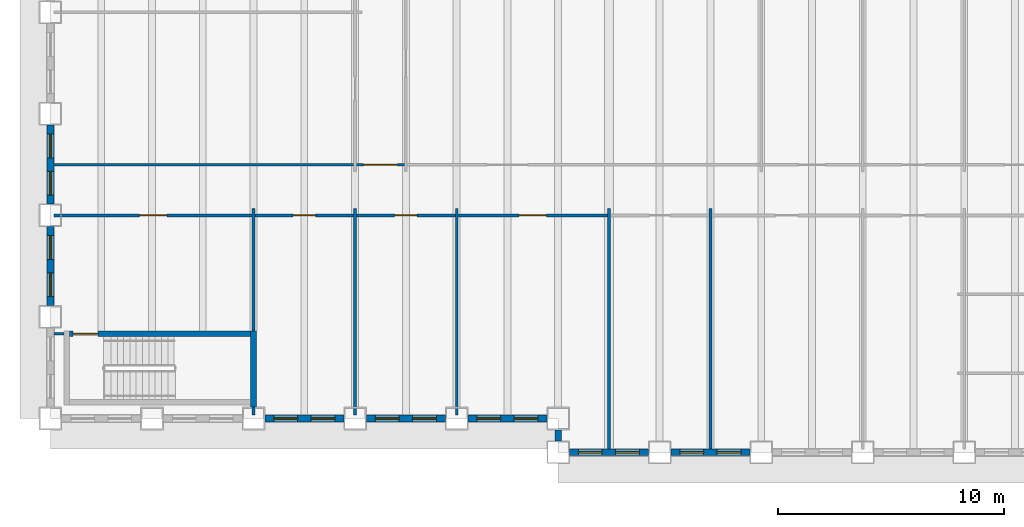
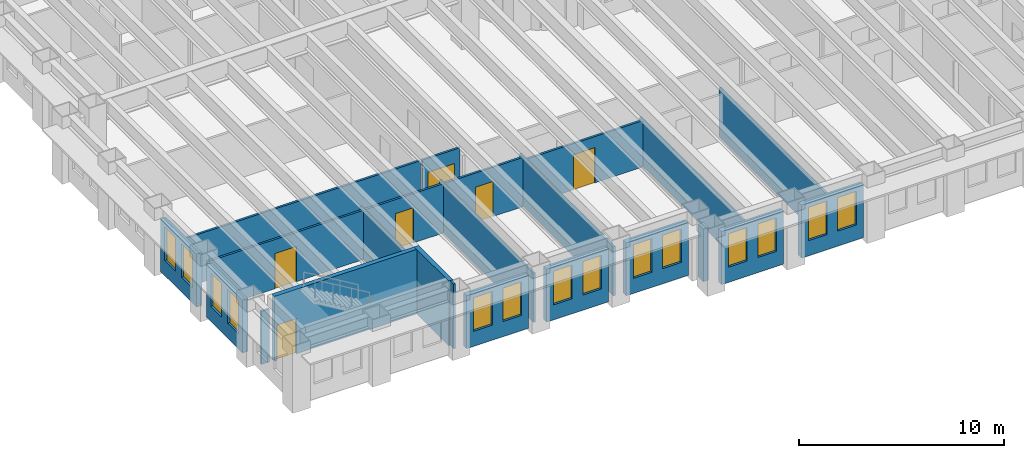
# One storey, part 3 of 16: 23 walls, 14 windows, 6 doors, 20 openings.
"""IFC4 building model written with IfcOpenShell, lengths in metres."""

from ifc_helpers import new_model, si_unit, direction, frame, frame_2d, origin, place, context, subcontext, project, spatial, rectangle, extrude, material, layer, layer_set, type_object, element, fill, save


model = new_model("IFC4")

# Units and contexts
model_context = context("Model", 3, precision=1e-05, world=origin(), true_north=direction((0.0, 1.0)))
body_context = subcontext(model_context, "Body", "Model", "MODEL_VIEW")
ifc_project = project(units=[si_unit("LENGTHUNIT", "METRE"), si_unit("AREAUNIT", "SQUARE_METRE"), si_unit("VOLUMEUNIT", "CUBIC_METRE"), si_unit("PLANEANGLEUNIT", "RADIAN"), si_unit("MASSUNIT", "GRAM", prefix="KILO")], contexts=[model_context])

# Site, building, storey
site_placement = place(None, origin())
site = spatial("IfcSite", under=ifc_project, at=site_placement, CompositionType="ELEMENT")
building_placement = place(site_placement, origin())
building = spatial("IfcBuilding", under=site, at=building_placement, Name="Sennacour Bend Tower", CompositionType="ELEMENT")
storey_placement = place(building_placement, frame((0.0, 0.0, 119.0)))
storey = spatial("IfcBuildingStorey", under=building, at=storey_placement, Name="L27", CompositionType="ELEMENT", Elevation=119.0)

# Walls
ifc_material_1 = material(Name="Plasterboard partition on steel studs", Category="steel")
ifc_layer_1 = layer(ifc_material_1, 0.1201171875, Name="Plasterboard partition on steel studs", Category="steel")
ifc_layer_set_1 = layer_set([ifc_layer_1], Name="Plasterboard partition on steel studs")
wall_type_1 = type_object("IfcWallType", Name="Partition 120", PredefinedType="PARTITIONING", material=ifc_layer_set_1)
wall_1_placement = place(storey_placement, frame((9.0, 0.14990234375, 0.0), z_axis=(0.0, 0.0, 1.0), x_axis=(0.0, 1.0, 0.0)))
element("IfcWall", 1, at=wall_1_placement, inside=storey, type_object=wall_type_1, Name="P-L27-W009a", PredefinedType="PARTITIONING", context=body_context, shape_type="SweptSolid", body=[
    extrude(rectangle(XDim=0.35009765625, YDim=0.1201171875, at=frame_2d((0.175048828125, 0.0))), origin(), (0.0, 0.0, 1.0), 3.85009765625),
])
wall_2_placement = place(storey_placement, frame((9.0, 3.875, 0.0), z_axis=(0.0, 0.0, 1.0), x_axis=(0.0, 1.0, 0.0)))
element("IfcWall", 2, at=wall_2_placement, inside=storey, type_object=wall_type_1, Name="P-L27-W011a", PredefinedType="PARTITIONING", context=body_context, shape_type="SweptSolid", body=[
    extrude(rectangle(XDim=5.425048828125, YDim=0.1201171875, at=frame_2d((2.71240234375, 0.0))), origin(), (0.0, 0.0, 1.0), 2.93798828125),
])
for number, where, z_axis, x_axis, name in (
    (3, (13.5, 0.14990234375, 0.0), (0.0, 0.0, 1.0), (0.0, 1.0, 0.0), "P-L27-W015a"),
    (4, (18.0, 0.14990234375, 0.0), (0.0, 0.0, 1.0), (0.0, 1.0, 0.0), "P-L27-W021a"),
):
    element("IfcWall", number, at=place(storey_placement, frame(where, z_axis=z_axis, x_axis=x_axis)), inside=storey, type_object=wall_type_1, Name=name, PredefinedType="PARTITIONING", context=body_context, shape_type="SweptSolid", body=[
        extrude(rectangle(XDim=9.150146484375, YDim=0.1201171875, at=frame_2d((4.5751953125, 0.0))), origin(), (0.0, 0.0, 1.0), 2.93798828125),
    ])
wall_3_placement = place(storey_placement, frame((24.75, -1.35009765625, 0.0), z_axis=(0.0, 0.0, 1.0), x_axis=(0.0, 1.0, 0.0)))
element("IfcWall", 5, at=wall_3_placement, inside=storey, type_object=wall_type_1, Name="P-L27-W027a", PredefinedType="PARTITIONING", context=body_context, shape_type="SweptSolid", body=[
    extrude(rectangle(XDim=10.650146484375, YDim=0.1201171875, at=frame_2d((5.3251953125, 0.0))), origin(), (0.0, 0.0, 1.0), 2.760009765625),
])
wall_4_placement = place(storey_placement, frame((29.25, -1.35009765625, 0.0), z_axis=(0.0, 0.0, 1.0), x_axis=(0.0, 1.0, 0.0)))
element("IfcWall", 6, at=wall_4_placement, inside=storey, type_object=wall_type_1, Name="P-L27-W028a", PredefinedType="PARTITIONING", context=body_context, shape_type="SweptSolid", body=[
    extrude(rectangle(XDim=10.650146484375, YDim=0.1201171875, at=frame_2d((5.3251953125, 0.0))), origin(), (0.0, 0.0, 1.0), 2.93798828125),
])
wall_5_placement = place(storey_placement, frame((0.14990234375, 3.75, 0.0), z_axis=(0.0, 0.0, 1.0), x_axis=(1.0, 0.0, 0.0)))
element("IfcWall", 7, at=wall_5_placement, inside=storey, type_object=wall_type_1, Name="P-L27-W053a", PredefinedType="PARTITIONING", context=body_context, shape_type="SweptSolid", body=[
    extrude(rectangle(XDim=0.4501953125, YDim=0.1201171875, at=frame_2d((0.22509765625, 0.0))), origin(), (0.0, 0.0, 1.0), 3.154052734375),
])

# Wall, opening, door
wall_6_placement = place(storey_placement, frame((9.06005859375, 9.0, 0.0), z_axis=(0.0, 0.0, 1.0), x_axis=(1.0, 0.0, 0.0)))
wall_6 = element("IfcWall", 8, at=wall_6_placement, inside=storey, type_object=wall_type_1, Name="P-L27-W059ab", PredefinedType="PARTITIONING", context=body_context, shape_type="SweptSolid", body=[
    extrude(rectangle(XDim=4.3798828125, YDim=0.1201171875, at=frame_2d((2.18994140625, 0.0))), origin(), (0.0, 0.0, 1.0), 2.93798828125),
])
opening_1_placement = place(wall_6_placement, frame((1.68994140625, 0.0, 0.0)))
opening_1 = element("IfcOpeningElement", 9, at=opening_1_placement, cuts=wall_6, Name="Opening OD2", PredefinedType="OPENING", context=body_context, shape_type="SweptSolid", body=[
    extrude(rectangle(XDim=1.0, YDim=2.10009765625, at=frame_2d((0.5, 1.050048828125))), frame((0.0, 0.070068359375, 0.0), z_axis=(0.0, -1.0, 0.0), x_axis=(1.0, 0.0, 0.0)), (0.0, 0.0, 1.0), 0.14013671875),
])
ifc_material_2 = material(Name="Timber", Category="wood")
door_type_1 = type_object("IfcDoorType", Name="DR-OFFICE-1000", OperationType="NOTDEFINED", PredefinedType="DOOR", material=ifc_material_2)
door_1_placement = place(opening_1_placement, origin())
door_1 = element("IfcDoor", 10, at=door_1_placement, inside=storey, type_object=door_type_1, Name="Door", OperationType="SINGLE_SWING_LEFT", OverallHeight=2.10009765625, OverallWidth=1.0, PredefinedType="DOOR", context=body_context, shape_type="SweptSolid", body=[
    extrude(rectangle(XDim=1.0, YDim=2.10009765625, at=frame_2d((0.5, 1.050048828125))), frame((0.0, 0.02490234375, 0.0), z_axis=(0.0, -1.0, 0.0), x_axis=(1.0, 0.0, 0.0)), (0.0, 0.0, 1.0), 0.050048828125),
])
fill(opening_1, door_1)

wall_7_placement = place(storey_placement, frame((13.56005859375, 9.0, 0.0), z_axis=(0.0, 0.0, 1.0), x_axis=(1.0, 0.0, 0.0)))
wall_7 = element("IfcWall", 11, at=wall_7_placement, inside=storey, type_object=wall_type_1, Name="P-L27-W059ac", PredefinedType="PARTITIONING", context=body_context, shape_type="SweptSolid", body=[
    extrude(rectangle(XDim=4.3798828125, YDim=0.1201171875, at=frame_2d((2.18994140625, 0.0))), origin(), (0.0, 0.0, 1.0), 2.93798828125),
])
opening_2_placement = place(wall_7_placement, frame((1.68994140625, 0.0, 0.0)))
opening_2 = element("IfcOpeningElement", 12, at=opening_2_placement, cuts=wall_7, Name="Opening OD2", PredefinedType="OPENING", context=body_context, shape_type="SweptSolid", body=[
    extrude(rectangle(XDim=1.0, YDim=2.10009765625, at=frame_2d((0.5, 1.050048828125))), frame((0.0, 0.070068359375, 0.0), z_axis=(0.0, -1.0, 0.0), x_axis=(1.0, 0.0, 0.0)), (0.0, 0.0, 1.0), 0.14013671875),
])
door_2_placement = place(opening_2_placement, origin())
door_2 = element("IfcDoor", 13, at=door_2_placement, inside=storey, type_object=door_type_1, Name="Door", OperationType="SINGLE_SWING_LEFT", OverallHeight=2.10009765625, OverallWidth=1.0, PredefinedType="DOOR", context=body_context, shape_type="SweptSolid", body=[
    extrude(rectangle(XDim=1.0, YDim=2.10009765625, at=frame_2d((0.5, 1.050048828125))), frame((0.0, 0.02490234375, 0.0), z_axis=(0.0, -1.0, 0.0), x_axis=(1.0, 0.0, 0.0)), (0.0, 0.0, 1.0), 0.050048828125),
])
fill(opening_2, door_2)

wall_8_placement = place(storey_placement, frame((18.06005859375, 9.0, 0.0), z_axis=(0.0, 0.0, 1.0), x_axis=(1.0, 0.0, 0.0)))
wall_8 = element("IfcWall", 14, at=wall_8_placement, inside=storey, type_object=wall_type_1, Name="P-L27-W059ad", PredefinedType="PARTITIONING", context=body_context, shape_type="SweptSolid", body=[
    extrude(rectangle(XDim=6.6298828125, YDim=0.1201171875, at=frame_2d((3.31494140625, 0.0))), origin(), (0.0, 0.0, 1.0), 2.760009765625),
])
opening_3_placement = place(wall_8_placement, frame((2.71484375, 0.0, 0.0)))
opening_3 = element("IfcOpeningElement", 15, at=opening_3_placement, cuts=wall_8, Name="Opening OD", PredefinedType="OPENING", context=body_context, shape_type="SweptSolid", body=[
    extrude(rectangle(XDim=1.199951171875, YDim=2.10009765625, at=frame_2d((0.60009765625, 1.050048828125))), frame((0.0, 0.070068359375, 0.0), z_axis=(0.0, -1.0, 0.0), x_axis=(1.0, 0.0, 0.0)), (0.0, 0.0, 1.0), 0.14013671875),
])
door_type_2 = type_object("IfcDoorType", Name="DR-OFFICE-1200", OperationType="NOTDEFINED", PredefinedType="DOOR", material=ifc_material_2)
door_3_placement = place(opening_3_placement, origin())
door_3 = element("IfcDoor", 16, at=door_3_placement, inside=storey, type_object=door_type_2, Name="Door", OperationType="SINGLE_SWING_LEFT", OverallHeight=2.10009765625, OverallWidth=1.199951171875, PredefinedType="DOOR", context=body_context, shape_type="SweptSolid", body=[
    extrude(rectangle(XDim=1.199951171875, YDim=2.10009765625, at=frame_2d((0.60009765625, 1.050048828125))), frame((0.0, 0.02490234375, 0.0), z_axis=(0.0, -1.0, 0.0), x_axis=(1.0, 0.0, 0.0)), (0.0, 0.0, 1.0), 0.050048828125),
])
fill(opening_3, door_3)

# Wall
wall_9_placement = place(storey_placement, frame((0.14990234375, 11.25, 0.0), z_axis=(0.0, 0.0, 1.0), x_axis=(1.0, 0.0, 0.0)))
element("IfcWall", 17, at=wall_9_placement, inside=storey, type_object=wall_type_1, Name="P-L27-W061aa", PredefinedType="PARTITIONING", context=body_context, shape_type="SweptSolid", body=[
    extrude(rectangle(XDim=13.2900390625, YDim=0.1201171875, at=frame_2d((6.64501953125, 0.0))), origin(), (0.0, 0.0, 1.0), 2.93798828125),
])

# Wall, opening, door
ifc_layer_2 = layer(ifc_material_1, 0.1201171875, Name="Plasterboard partition on steel studs", Category="steel")
ifc_layer_set_2 = layer_set([ifc_layer_2], Name="Plasterboard partition on steel studs")
wall_type_2 = type_object("IfcWallType", Name="Partition 120 EI 30", PredefinedType="PARTITIONING", material=ifc_layer_set_2)
wall_10_placement = place(storey_placement, frame((0.14990234375, 9.0, 0.0), z_axis=(0.0, 0.0, 1.0), x_axis=(1.0, 0.0, 0.0)))
wall_10 = element("IfcWall", 18, at=wall_10_placement, inside=storey, type_object=wall_type_2, Name="P-L27-W059aa", PredefinedType="PARTITIONING", context=body_context, shape_type="SweptSolid", body=[
    extrude(rectangle(XDim=8.7900390625, YDim=0.1201171875, at=frame_2d((4.39501953125, 0.0))), origin(), (0.0, 0.0, 1.0), 2.93798828125),
])
opening_4_placement = place(wall_10_placement, frame((3.80517578125, 0.0, 0.0)))
opening_4 = element("IfcOpeningElement", 19, at=opening_4_placement, cuts=wall_10, Name="Opening KD2", PredefinedType="OPENING", context=body_context, shape_type="SweptSolid", body=[
    extrude(rectangle(XDim=1.199951171875, YDim=2.10009765625, at=frame_2d((0.60009765625, 1.050048828125))), frame((0.0, 0.070068359375, 0.0), z_axis=(0.0, -1.0, 0.0), x_axis=(1.0, 0.0, 0.0)), (0.0, 0.0, 1.0), 0.14013671875),
])
ifc_material_3 = material(Name="Painted steel", Category="steel")
door_type_3 = type_object("IfcDoorType", Name="DR-CORRIDOR-1200", OperationType="NOTDEFINED", PredefinedType="DOOR", material=ifc_material_3)
door_4_placement = place(opening_4_placement, origin())
door_4 = element("IfcDoor", 20, at=door_4_placement, inside=storey, type_object=door_type_3, Name="Door", OperationType="SINGLE_SWING_LEFT", OverallHeight=2.10009765625, OverallWidth=1.199951171875, PredefinedType="DOOR", context=body_context, shape_type="SweptSolid", body=[
    extrude(rectangle(XDim=1.199951171875, YDim=2.10009765625, at=frame_2d((0.60009765625, 1.050048828125))), frame((0.0, 0.02490234375, 0.0), z_axis=(0.0, -1.0, 0.0), x_axis=(1.0, 0.0, 0.0)), (0.0, 0.0, 1.0), 0.050048828125),
])
fill(opening_4, door_4)

wall_11_placement = place(storey_placement, frame((13.56005859375, 11.25, 0.0), z_axis=(0.0, 0.0, 1.0), x_axis=(1.0, 0.0, 0.0)))
wall_11 = element("IfcWall", 21, at=wall_11_placement, inside=storey, type_object=wall_type_2, Name="P-L27-W061ab", PredefinedType="PARTITIONING", context=body_context, shape_type="SweptSolid", body=[
    extrude(rectangle(XDim=2.1298828125, YDim=0.1201171875, at=frame_2d((1.06494140625, 0.0))), origin(), (0.0, 0.0, 1.0), 2.93798828125),
])
opening_5_placement = place(wall_11_placement, frame((0.31494140625, 0.0, 0.0)))
opening_5 = element("IfcOpeningElement", 22, at=opening_5_placement, cuts=wall_11, Name="Opening KD", PredefinedType="OPENING", context=body_context, shape_type="SweptSolid", body=[
    extrude(rectangle(XDim=1.5, YDim=2.10009765625, at=frame_2d((0.75, 1.050048828125))), frame((0.0, 0.070068359375, 0.0), z_axis=(0.0, -1.0, 0.0), x_axis=(1.0, 0.0, 0.0)), (0.0, 0.0, 1.0), 0.14013671875),
])
door_type_4 = type_object("IfcDoorType", Name="DR-CORRIDOR-1500", OperationType="NOTDEFINED", PredefinedType="DOOR", material=ifc_material_3)
door_5_placement = place(opening_5_placement, origin())
door_5 = element("IfcDoor", 23, at=door_5_placement, inside=storey, type_object=door_type_4, Name="Door", OperationType="SINGLE_SWING_LEFT", OverallHeight=2.10009765625, OverallWidth=1.5, PredefinedType="DOOR", context=body_context, shape_type="SweptSolid", body=[
    extrude(rectangle(XDim=1.5, YDim=2.10009765625, at=frame_2d((0.75, 1.050048828125))), frame((0.0, 0.02490234375, 0.0), z_axis=(0.0, -1.0, 0.0), x_axis=(1.0, 0.0, 0.0)), (0.0, 0.0, 1.0), 0.050048828125),
])
fill(opening_5, door_5)

# Wall, openings, windows
ifc_material_4 = material(Name="Warm limestone cladding", Category="masonry")
ifc_layer_3 = layer(ifc_material_4, 0.050048828125, Name="Warm limestone cladding", Category="masonry")
ifc_material_5 = material(Name="Precast concrete C40/50", Category="concrete")
ifc_layer_4 = layer(ifc_material_5, 0.25, Name="Precast concrete C40/50", Category="concrete")
ifc_layer_set_3 = layer_set([ifc_layer_3, ifc_layer_4], Name="Precast concrete C40/50 with limestone cladding")
wall_type_3 = type_object("IfcWallType", Name="STONE-CLAD PRECAST SPANDREL 300", PredefinedType="STANDARD", material=ifc_layer_set_3)
wall_12_placement = place(storey_placement, frame((23.0, -1.5, 0.0), z_axis=(0.0, 0.0, 1.0), x_axis=(1.0, 0.0, 0.0)))
wall_12 = element("IfcWall", 24, at=wall_12_placement, inside=storey, type_object=wall_type_3, Name="Stone spandrel and pier wall L27 00.00", PredefinedType="STANDARD", context=body_context, shape_type="SweptSolid", body=[
    extrude(rectangle(XDim=3.5, YDim=0.300048828125, at=frame_2d((1.75, 0.0))), origin(), (0.0, 0.0, 1.0), 3.154052734375),
])
opening_6_placement = place(wall_12_placement, frame((0.39990234375, 0.0, 0.89990234375)))
opening_6 = element("IfcOpeningElement", 25, at=opening_6_placement, cuts=wall_12, Name="Opening W13", PredefinedType="OPENING", context=body_context, shape_type="SweptSolid", body=[
    extrude(rectangle(XDim=1.050048828125, YDim=2.0, at=frame_2d((0.52490234375, 1.0))), frame((0.0, 0.16015625, 0.0), z_axis=(0.0, -1.0, 0.0), x_axis=(1.0, 0.0, 0.0)), (0.0, 0.0, 1.0), 0.320068359375),
])
opening_7_placement = place(wall_12_placement, frame((2.050048828125, 0.0, 0.89990234375)))
opening_7 = element("IfcOpeningElement", 26, at=opening_7_placement, cuts=wall_12, Name="Opening W13", PredefinedType="OPENING", context=body_context, shape_type="SweptSolid", body=[
    extrude(rectangle(XDim=1.050048828125, YDim=2.0, at=frame_2d((0.52490234375, 1.0))), frame((0.0, 0.16015625, 0.0), z_axis=(0.0, -1.0, 0.0), x_axis=(1.0, 0.0, 0.0)), (0.0, 0.0, 1.0), 0.320068359375),
])
ifc_material_6 = material(Name="Clear low-emissivity glass", Category="glass")
window_type = type_object("IfcWindowType", Name="WIN-RIBBON-1050x2000", PartitioningType="SINGLE_PANEL", PredefinedType="WINDOW", material=ifc_material_6)
window_1_placement = place(opening_6_placement, origin())
window_1 = element("IfcWindow", 27, at=window_1_placement, inside=storey, type_object=window_type, Name="Ribbon window L27 00.00.0", OverallHeight=2.0, OverallWidth=1.050048828125, PartitioningType="SINGLE_PANEL", PredefinedType="WINDOW", context=body_context, shape_type="SweptSolid", body=[
    extrude(rectangle(XDim=1.050048828125, YDim=2.0, at=frame_2d((0.52490234375, 1.0))), frame((0.0, 0.030029296875, 0.0), z_axis=(0.0, -1.0, 0.0), x_axis=(1.0, 0.0, 0.0)), (0.0, 0.0, 1.0), 0.06005859375),
])
fill(opening_6, window_1)
window_2_placement = place(opening_7_placement, origin())
window_2 = element("IfcWindow", 28, at=window_2_placement, inside=storey, type_object=window_type, Name="Ribbon window L27 00.00.1", OverallHeight=2.0, OverallWidth=1.050048828125, PartitioningType="SINGLE_PANEL", PredefinedType="WINDOW", context=body_context, shape_type="SweptSolid", body=[
    extrude(rectangle(XDim=1.050048828125, YDim=2.0, at=frame_2d((0.52490234375, 1.0))), frame((0.0, 0.030029296875, 0.0), z_axis=(0.0, -1.0, 0.0), x_axis=(1.0, 0.0, 0.0)), (0.0, 0.0, 1.0), 0.06005859375),
])
fill(opening_7, window_2)

wall_13_placement = place(storey_placement, frame((27.5, -1.5, 0.0), z_axis=(0.0, 0.0, 1.0), x_axis=(1.0, 0.0, 0.0)))
wall_13 = element("IfcWall", 29, at=wall_13_placement, inside=storey, type_object=wall_type_3, Name="Stone spandrel and pier wall L27 00.01", PredefinedType="STANDARD", context=body_context, shape_type="SweptSolid", body=[
    extrude(rectangle(XDim=3.5, YDim=0.300048828125, at=frame_2d((1.75, 0.0))), origin(), (0.0, 0.0, 1.0), 3.154052734375),
])
opening_8_placement = place(wall_13_placement, frame((0.39990234375, 0.0, 0.89990234375)))
opening_8 = element("IfcOpeningElement", 30, at=opening_8_placement, cuts=wall_13, Name="Opening W13", PredefinedType="OPENING", context=body_context, shape_type="SweptSolid", body=[
    extrude(rectangle(XDim=1.050048828125, YDim=2.0, at=frame_2d((0.52490234375, 1.0))), frame((0.0, 0.16015625, 0.0), z_axis=(0.0, -1.0, 0.0), x_axis=(1.0, 0.0, 0.0)), (0.0, 0.0, 1.0), 0.320068359375),
])
opening_9_placement = place(wall_13_placement, frame((2.050048828125, 0.0, 0.89990234375)))
opening_9 = element("IfcOpeningElement", 31, at=opening_9_placement, cuts=wall_13, Name="Opening W13", PredefinedType="OPENING", context=body_context, shape_type="SweptSolid", body=[
    extrude(rectangle(XDim=1.050048828125, YDim=2.0, at=frame_2d((0.52490234375, 1.0))), frame((0.0, 0.16015625, 0.0), z_axis=(0.0, -1.0, 0.0), x_axis=(1.0, 0.0, 0.0)), (0.0, 0.0, 1.0), 0.320068359375),
])
window_3_placement = place(opening_8_placement, origin())
window_3 = element("IfcWindow", 32, at=window_3_placement, inside=storey, type_object=window_type, Name="Ribbon window L27 00.01.0", OverallHeight=2.0, OverallWidth=1.050048828125, PartitioningType="SINGLE_PANEL", PredefinedType="WINDOW", context=body_context, shape_type="SweptSolid", body=[
    extrude(rectangle(XDim=1.050048828125, YDim=2.0, at=frame_2d((0.52490234375, 1.0))), frame((0.0, 0.030029296875, 0.0), z_axis=(0.0, -1.0, 0.0), x_axis=(1.0, 0.0, 0.0)), (0.0, 0.0, 1.0), 0.06005859375),
])
fill(opening_8, window_3)
window_4_placement = place(opening_9_placement, origin())
window_4 = element("IfcWindow", 33, at=window_4_placement, inside=storey, type_object=window_type, Name="Ribbon window L27 00.01.1", OverallHeight=2.0, OverallWidth=1.050048828125, PartitioningType="SINGLE_PANEL", PredefinedType="WINDOW", context=body_context, shape_type="SweptSolid", body=[
    extrude(rectangle(XDim=1.050048828125, YDim=2.0, at=frame_2d((0.52490234375, 1.0))), frame((0.0, 0.030029296875, 0.0), z_axis=(0.0, -1.0, 0.0), x_axis=(1.0, 0.0, 0.0)), (0.0, 0.0, 1.0), 0.06005859375),
])
fill(opening_9, window_4)

wall_14_placement = place(storey_placement, frame((0.0, 13.0, 0.0), z_axis=(0.0, 0.0, 1.0), x_axis=(0.0, -1.0, 0.0)))
wall_14 = element("IfcWall", 34, at=wall_14_placement, inside=storey, type_object=wall_type_3, Name="Stone spandrel and pier wall L27 21.02", PredefinedType="STANDARD", context=body_context, shape_type="SweptSolid", body=[
    extrude(rectangle(XDim=3.5, YDim=0.300048828125, at=frame_2d((1.75, 0.0))), origin(), (0.0, 0.0, 1.0), 3.154052734375),
])
opening_10_placement = place(wall_14_placement, frame((0.39990234375, 0.0, 0.89990234375)))
opening_10 = element("IfcOpeningElement", 35, at=opening_10_placement, cuts=wall_14, Name="Opening W13", PredefinedType="OPENING", context=body_context, shape_type="SweptSolid", body=[
    extrude(rectangle(XDim=1.050048828125, YDim=2.0, at=frame_2d((0.52490234375, 1.0))), frame((0.0, 0.16015625, 0.0), z_axis=(0.0, -1.0, 0.0), x_axis=(1.0, 0.0, 0.0)), (0.0, 0.0, 1.0), 0.320068359375),
])
opening_11_placement = place(wall_14_placement, frame((2.050048828125, 0.0, 0.89990234375)))
opening_11 = element("IfcOpeningElement", 36, at=opening_11_placement, cuts=wall_14, Name="Opening W13", PredefinedType="OPENING", context=body_context, shape_type="SweptSolid", body=[
    extrude(rectangle(XDim=1.050048828125, YDim=2.0, at=frame_2d((0.52490234375, 1.0))), frame((0.0, 0.16015625, 0.0), z_axis=(0.0, -1.0, 0.0), x_axis=(1.0, 0.0, 0.0)), (0.0, 0.0, 1.0), 0.320068359375),
])
window_5_placement = place(opening_10_placement, origin())
window_5 = element("IfcWindow", 37, at=window_5_placement, inside=storey, type_object=window_type, Name="Ribbon window L27 21.02.0", OverallHeight=2.0, OverallWidth=1.050048828125, PartitioningType="SINGLE_PANEL", PredefinedType="WINDOW", context=body_context, shape_type="SweptSolid", body=[
    extrude(rectangle(XDim=1.050048828125, YDim=2.0, at=frame_2d((0.52490234375, 1.0))), frame((0.0, 0.030029296875, 0.0), z_axis=(0.0, -1.0, 0.0), x_axis=(1.0, 0.0, 0.0)), (0.0, 0.0, 1.0), 0.06005859375),
])
fill(opening_10, window_5)
window_6_placement = place(opening_11_placement, origin())
window_6 = element("IfcWindow", 38, at=window_6_placement, inside=storey, type_object=window_type, Name="Ribbon window L27 21.02.1", OverallHeight=2.0, OverallWidth=1.050048828125, PartitioningType="SINGLE_PANEL", PredefinedType="WINDOW", context=body_context, shape_type="SweptSolid", body=[
    extrude(rectangle(XDim=1.050048828125, YDim=2.0, at=frame_2d((0.52490234375, 1.0))), frame((0.0, 0.030029296875, 0.0), z_axis=(0.0, -1.0, 0.0), x_axis=(1.0, 0.0, 0.0)), (0.0, 0.0, 1.0), 0.06005859375),
])
fill(opening_11, window_6)

wall_15_placement = place(storey_placement, frame((0.0, 8.5, 0.0), z_axis=(0.0, 0.0, 1.0), x_axis=(0.0, -1.0, 0.0)))
wall_15 = element("IfcWall", 39, at=wall_15_placement, inside=storey, type_object=wall_type_3, Name="Stone spandrel and pier wall L27 21.03", PredefinedType="STANDARD", context=body_context, shape_type="SweptSolid", body=[
    extrude(rectangle(XDim=3.5, YDim=0.300048828125, at=frame_2d((1.75, 0.0))), origin(), (0.0, 0.0, 1.0), 3.154052734375),
])
opening_12_placement = place(wall_15_placement, frame((0.39990234375, 0.0, 0.89990234375)))
opening_12 = element("IfcOpeningElement", 40, at=opening_12_placement, cuts=wall_15, Name="Opening W13", PredefinedType="OPENING", context=body_context, shape_type="SweptSolid", body=[
    extrude(rectangle(XDim=1.050048828125, YDim=2.0, at=frame_2d((0.52490234375, 1.0))), frame((0.0, 0.16015625, 0.0), z_axis=(0.0, -1.0, 0.0), x_axis=(1.0, 0.0, 0.0)), (0.0, 0.0, 1.0), 0.320068359375),
])
opening_13_placement = place(wall_15_placement, frame((2.050048828125, 0.0, 0.89990234375)))
opening_13 = element("IfcOpeningElement", 41, at=opening_13_placement, cuts=wall_15, Name="Opening W13", PredefinedType="OPENING", context=body_context, shape_type="SweptSolid", body=[
    extrude(rectangle(XDim=1.050048828125, YDim=2.0, at=frame_2d((0.52490234375, 1.0))), frame((0.0, 0.16015625, 0.0), z_axis=(0.0, -1.0, 0.0), x_axis=(1.0, 0.0, 0.0)), (0.0, 0.0, 1.0), 0.320068359375),
])
window_7_placement = place(opening_12_placement, origin())
window_7 = element("IfcWindow", 42, at=window_7_placement, inside=storey, type_object=window_type, Name="Ribbon window L27 21.03.0", OverallHeight=2.0, OverallWidth=1.050048828125, PartitioningType="SINGLE_PANEL", PredefinedType="WINDOW", context=body_context, shape_type="SweptSolid", body=[
    extrude(rectangle(XDim=1.050048828125, YDim=2.0, at=frame_2d((0.52490234375, 1.0))), frame((0.0, 0.030029296875, 0.0), z_axis=(0.0, -1.0, 0.0), x_axis=(1.0, 0.0, 0.0)), (0.0, 0.0, 1.0), 0.06005859375),
])
fill(opening_12, window_7)
window_8_placement = place(opening_13_placement, origin())
window_8 = element("IfcWindow", 43, at=window_8_placement, inside=storey, type_object=window_type, Name="Ribbon window L27 21.03.1", OverallHeight=2.0, OverallWidth=1.050048828125, PartitioningType="SINGLE_PANEL", PredefinedType="WINDOW", context=body_context, shape_type="SweptSolid", body=[
    extrude(rectangle(XDim=1.050048828125, YDim=2.0, at=frame_2d((0.52490234375, 1.0))), frame((0.0, 0.030029296875, 0.0), z_axis=(0.0, -1.0, 0.0), x_axis=(1.0, 0.0, 0.0)), (0.0, 0.0, 1.0), 0.06005859375),
])
fill(opening_13, window_8)

wall_16_placement = place(storey_placement, frame((9.5, 0.0, 0.0), z_axis=(0.0, 0.0, 1.0), x_axis=(1.0, 0.0, 0.0)))
wall_16 = element("IfcWall", 44, at=wall_16_placement, inside=storey, type_object=wall_type_3, Name="Stone spandrel and pier wall L27 22.02", PredefinedType="STANDARD", context=body_context, shape_type="SweptSolid", body=[
    extrude(rectangle(XDim=3.5, YDim=0.300048828125, at=frame_2d((1.75, 0.0))), origin(), (0.0, 0.0, 1.0), 3.154052734375),
])
opening_14_placement = place(wall_16_placement, frame((0.39990234375, 0.0, 0.89990234375)))
opening_14 = element("IfcOpeningElement", 45, at=opening_14_placement, cuts=wall_16, Name="Opening W13", PredefinedType="OPENING", context=body_context, shape_type="SweptSolid", body=[
    extrude(rectangle(XDim=1.050048828125, YDim=2.0, at=frame_2d((0.52490234375, 1.0))), frame((0.0, 0.16015625, 0.0), z_axis=(0.0, -1.0, 0.0), x_axis=(1.0, 0.0, 0.0)), (0.0, 0.0, 1.0), 0.320068359375),
])
opening_15_placement = place(wall_16_placement, frame((2.050048828125, 0.0, 0.89990234375)))
opening_15 = element("IfcOpeningElement", 46, at=opening_15_placement, cuts=wall_16, Name="Opening W13", PredefinedType="OPENING", context=body_context, shape_type="SweptSolid", body=[
    extrude(rectangle(XDim=1.050048828125, YDim=2.0, at=frame_2d((0.52490234375, 1.0))), frame((0.0, 0.16015625, 0.0), z_axis=(0.0, -1.0, 0.0), x_axis=(1.0, 0.0, 0.0)), (0.0, 0.0, 1.0), 0.320068359375),
])
window_9_placement = place(opening_14_placement, origin())
window_9 = element("IfcWindow", 47, at=window_9_placement, inside=storey, type_object=window_type, Name="Ribbon window L27 22.02.0", OverallHeight=2.0, OverallWidth=1.050048828125, PartitioningType="SINGLE_PANEL", PredefinedType="WINDOW", context=body_context, shape_type="SweptSolid", body=[
    extrude(rectangle(XDim=1.050048828125, YDim=2.0, at=frame_2d((0.52490234375, 1.0))), frame((0.0, 0.030029296875, 0.0), z_axis=(0.0, -1.0, 0.0), x_axis=(1.0, 0.0, 0.0)), (0.0, 0.0, 1.0), 0.06005859375),
])
fill(opening_14, window_9)
window_10_placement = place(opening_15_placement, origin())
window_10 = element("IfcWindow", 48, at=window_10_placement, inside=storey, type_object=window_type, Name="Ribbon window L27 22.02.1", OverallHeight=2.0, OverallWidth=1.050048828125, PartitioningType="SINGLE_PANEL", PredefinedType="WINDOW", context=body_context, shape_type="SweptSolid", body=[
    extrude(rectangle(XDim=1.050048828125, YDim=2.0, at=frame_2d((0.52490234375, 1.0))), frame((0.0, 0.030029296875, 0.0), z_axis=(0.0, -1.0, 0.0), x_axis=(1.0, 0.0, 0.0)), (0.0, 0.0, 1.0), 0.06005859375),
])
fill(opening_15, window_10)

wall_17_placement = place(storey_placement, frame((14.0, 0.0, 0.0), z_axis=(0.0, 0.0, 1.0), x_axis=(1.0, 0.0, 0.0)))
wall_17 = element("IfcWall", 49, at=wall_17_placement, inside=storey, type_object=wall_type_3, Name="Stone spandrel and pier wall L27 22.03", PredefinedType="STANDARD", context=body_context, shape_type="SweptSolid", body=[
    extrude(rectangle(XDim=3.5, YDim=0.300048828125, at=frame_2d((1.75, 0.0))), origin(), (0.0, 0.0, 1.0), 3.154052734375),
])
opening_16_placement = place(wall_17_placement, frame((0.39990234375, 0.0, 0.89990234375)))
opening_16 = element("IfcOpeningElement", 50, at=opening_16_placement, cuts=wall_17, Name="Opening W13", PredefinedType="OPENING", context=body_context, shape_type="SweptSolid", body=[
    extrude(rectangle(XDim=1.050048828125, YDim=2.0, at=frame_2d((0.52490234375, 1.0))), frame((0.0, 0.16015625, 0.0), z_axis=(0.0, -1.0, 0.0), x_axis=(1.0, 0.0, 0.0)), (0.0, 0.0, 1.0), 0.320068359375),
])
opening_17_placement = place(wall_17_placement, frame((2.050048828125, 0.0, 0.89990234375)))
opening_17 = element("IfcOpeningElement", 51, at=opening_17_placement, cuts=wall_17, Name="Opening W13", PredefinedType="OPENING", context=body_context, shape_type="SweptSolid", body=[
    extrude(rectangle(XDim=1.050048828125, YDim=2.0, at=frame_2d((0.52490234375, 1.0))), frame((0.0, 0.16015625, 0.0), z_axis=(0.0, -1.0, 0.0), x_axis=(1.0, 0.0, 0.0)), (0.0, 0.0, 1.0), 0.320068359375),
])
window_11_placement = place(opening_16_placement, origin())
window_11 = element("IfcWindow", 52, at=window_11_placement, inside=storey, type_object=window_type, Name="Ribbon window L27 22.03.0", OverallHeight=2.0, OverallWidth=1.050048828125, PartitioningType="SINGLE_PANEL", PredefinedType="WINDOW", context=body_context, shape_type="SweptSolid", body=[
    extrude(rectangle(XDim=1.050048828125, YDim=2.0, at=frame_2d((0.52490234375, 1.0))), frame((0.0, 0.030029296875, 0.0), z_axis=(0.0, -1.0, 0.0), x_axis=(1.0, 0.0, 0.0)), (0.0, 0.0, 1.0), 0.06005859375),
])
fill(opening_16, window_11)
window_12_placement = place(opening_17_placement, origin())
window_12 = element("IfcWindow", 53, at=window_12_placement, inside=storey, type_object=window_type, Name="Ribbon window L27 22.03.1", OverallHeight=2.0, OverallWidth=1.050048828125, PartitioningType="SINGLE_PANEL", PredefinedType="WINDOW", context=body_context, shape_type="SweptSolid", body=[
    extrude(rectangle(XDim=1.050048828125, YDim=2.0, at=frame_2d((0.52490234375, 1.0))), frame((0.0, 0.030029296875, 0.0), z_axis=(0.0, -1.0, 0.0), x_axis=(1.0, 0.0, 0.0)), (0.0, 0.0, 1.0), 0.06005859375),
])
fill(opening_17, window_12)

wall_18_placement = place(storey_placement, frame((18.5, 0.0, 0.0), z_axis=(0.0, 0.0, 1.0), x_axis=(1.0, 0.0, 0.0)))
wall_18 = element("IfcWall", 54, at=wall_18_placement, inside=storey, type_object=wall_type_3, Name="Stone spandrel and pier wall L27 22.04", PredefinedType="STANDARD", context=body_context, shape_type="SweptSolid", body=[
    extrude(rectangle(XDim=3.5, YDim=0.300048828125, at=frame_2d((1.75, 0.0))), origin(), (0.0, 0.0, 1.0), 3.154052734375),
])
opening_18_placement = place(wall_18_placement, frame((0.39990234375, 0.0, 0.89990234375)))
opening_18 = element("IfcOpeningElement", 55, at=opening_18_placement, cuts=wall_18, Name="Opening W13", PredefinedType="OPENING", context=body_context, shape_type="SweptSolid", body=[
    extrude(rectangle(XDim=1.050048828125, YDim=2.0, at=frame_2d((0.52490234375, 1.0))), frame((0.0, 0.16015625, 0.0), z_axis=(0.0, -1.0, 0.0), x_axis=(1.0, 0.0, 0.0)), (0.0, 0.0, 1.0), 0.320068359375),
])
opening_19_placement = place(wall_18_placement, frame((2.050048828125, 0.0, 0.89990234375)))
opening_19 = element("IfcOpeningElement", 56, at=opening_19_placement, cuts=wall_18, Name="Opening W13", PredefinedType="OPENING", context=body_context, shape_type="SweptSolid", body=[
    extrude(rectangle(XDim=1.050048828125, YDim=2.0, at=frame_2d((0.52490234375, 1.0))), frame((0.0, 0.16015625, 0.0), z_axis=(0.0, -1.0, 0.0), x_axis=(1.0, 0.0, 0.0)), (0.0, 0.0, 1.0), 0.320068359375),
])
window_13_placement = place(opening_18_placement, origin())
window_13 = element("IfcWindow", 57, at=window_13_placement, inside=storey, type_object=window_type, Name="Ribbon window L27 22.04.0", OverallHeight=2.0, OverallWidth=1.050048828125, PartitioningType="SINGLE_PANEL", PredefinedType="WINDOW", context=body_context, shape_type="SweptSolid", body=[
    extrude(rectangle(XDim=1.050048828125, YDim=2.0, at=frame_2d((0.52490234375, 1.0))), frame((0.0, 0.030029296875, 0.0), z_axis=(0.0, -1.0, 0.0), x_axis=(1.0, 0.0, 0.0)), (0.0, 0.0, 1.0), 0.06005859375),
])
fill(opening_18, window_13)
window_14_placement = place(opening_19_placement, origin())
window_14 = element("IfcWindow", 58, at=window_14_placement, inside=storey, type_object=window_type, Name="Ribbon window L27 22.04.1", OverallHeight=2.0, OverallWidth=1.050048828125, PartitioningType="SINGLE_PANEL", PredefinedType="WINDOW", context=body_context, shape_type="SweptSolid", body=[
    extrude(rectangle(XDim=1.050048828125, YDim=2.0, at=frame_2d((0.52490234375, 1.0))), frame((0.0, 0.030029296875, 0.0), z_axis=(0.0, -1.0, 0.0), x_axis=(1.0, 0.0, 0.0)), (0.0, 0.0, 1.0), 0.06005859375),
])
fill(opening_19, window_14)

# Walls
wall_19_placement = place(storey_placement, frame((22.5, -0.5, 0.0), z_axis=(0.0, 0.0, 1.0), x_axis=(0.0, -1.0, 0.0)))
element("IfcWall", 59, at=wall_19_placement, inside=storey, type_object=wall_type_3, Name="Stone spandrel and pier wall L27 23.00", PredefinedType="STANDARD", context=body_context, shape_type="SweptSolid", body=[
    extrude(rectangle(XDim=0.5, YDim=0.300048828125, at=frame_2d((0.25, 0.0))), origin(), (0.0, 0.0, 1.0), 3.154052734375),
])
ifc_material_7 = material(Name="Concrete C60/75", Category="concrete")
ifc_layer_5 = layer(ifc_material_7, 0.25, Name="Concrete C60/75", Category="concrete")
ifc_layer_set_4 = layer_set([ifc_layer_5], Name="Concrete C60/75")
wall_type_4 = type_object("IfcWallType", Name="Stair wall 250", PredefinedType="SHEAR", material=ifc_layer_set_4)
wall_20_placement = place(storey_placement, frame((9.0, 0.5, 0.0), z_axis=(0.0, 0.0, 1.0), x_axis=(0.0, 1.0, 0.0)))
element("IfcWall", 60, at=wall_20_placement, inside=storey, type_object=wall_type_4, Name="P-L27-W010", PredefinedType="SHEAR", context=body_context, shape_type="SweptSolid", body=[
    extrude(rectangle(XDim=3.375, YDim=0.25, at=frame_2d((1.6875, 0.0))), origin(), (0.0, 0.0, 1.0), 3.85009765625),
])

# Wall, opening, door
wall_21_placement = place(storey_placement, frame((0.85009765625, 3.75, 0.0), z_axis=(0.0, 0.0, 1.0), x_axis=(1.0, 0.0, 0.0)))
wall_21 = element("IfcWall", 61, at=wall_21_placement, inside=storey, type_object=wall_type_4, Name="P-L27-W054", PredefinedType="SHEAR", context=body_context, shape_type="SweptSolid", body=[
    extrude(rectangle(XDim=8.02490234375, YDim=0.25, at=frame_2d((4.012451171875, 0.0))), origin(), (0.0, 0.0, 1.0), 3.85009765625),
])
opening_20_placement = place(wall_21_placement, frame((0.14990234375, 0.0, 0.0)))
opening_20 = element("IfcOpeningElement", 62, at=opening_20_placement, cuts=wall_21, Name="Opening SD", PredefinedType="OPENING", context=body_context, shape_type="SweptSolid", body=[
    extrude(rectangle(XDim=1.10009765625, YDim=2.10009765625, at=frame_2d((0.550048828125, 1.050048828125))), frame((0.0, 0.135009765625, 0.0), z_axis=(0.0, -1.0, 0.0), x_axis=(1.0, 0.0, 0.0)), (0.0, 0.0, 1.0), 0.27001953125),
])
door_type_5 = type_object("IfcDoorType", Name="DR-STAIR-1100", OperationType="NOTDEFINED", PredefinedType="DOOR", material=ifc_material_3)
door_6_placement = place(opening_20_placement, origin())
door_6 = element("IfcDoor", 63, at=door_6_placement, inside=storey, type_object=door_type_5, Name="Door", OperationType="SINGLE_SWING_LEFT", OverallHeight=2.10009765625, OverallWidth=1.10009765625, PredefinedType="DOOR", context=body_context, shape_type="SweptSolid", body=[
    extrude(rectangle(XDim=1.10009765625, YDim=2.10009765625, at=frame_2d((0.550048828125, 1.050048828125))), frame((0.0, 0.02490234375, 0.0), z_axis=(0.0, -1.0, 0.0), x_axis=(1.0, 0.0, 0.0)), (0.0, 0.0, 1.0), 0.050048828125),
])
fill(opening_20, door_6)

save(model, "model.ifc")
